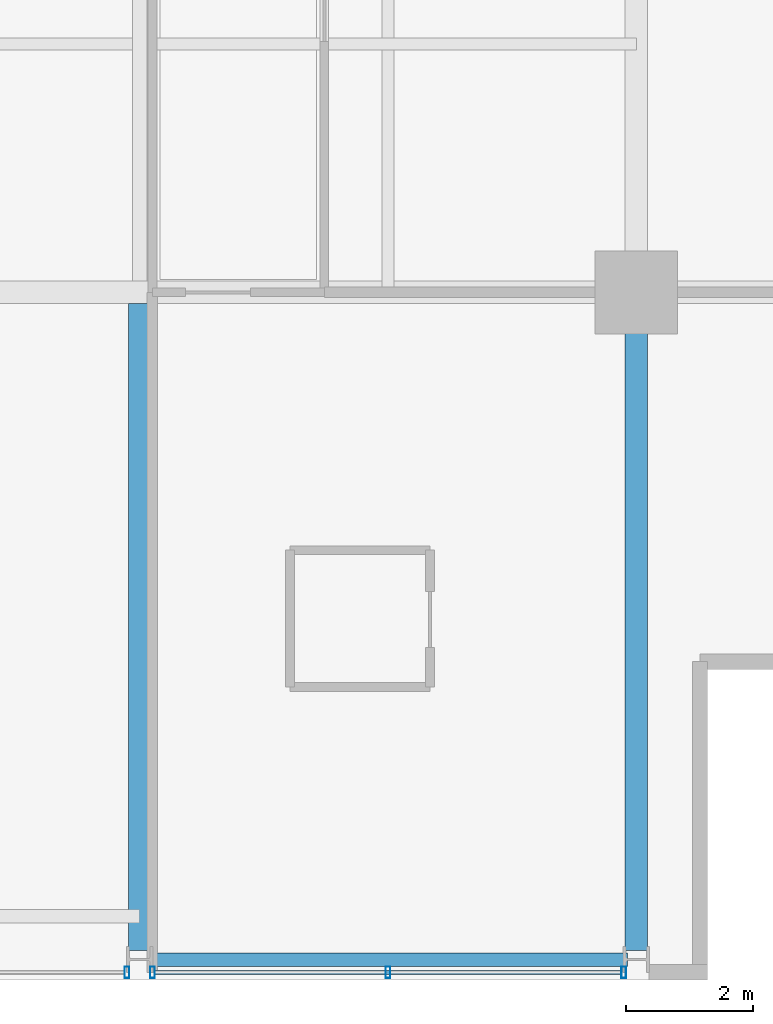
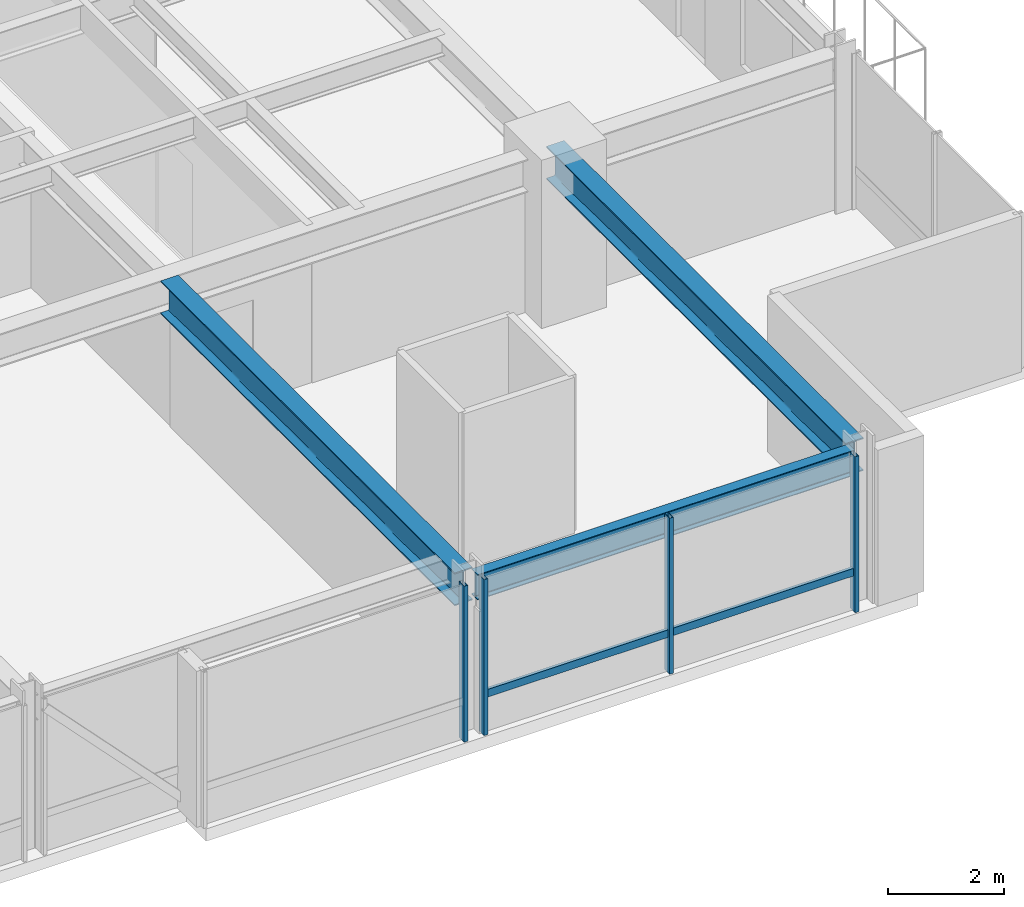
# One storey, part 11 of 33: 5 members, 3 beams, 2 elements without a shape of their own.
"""IFC4 building model written with IfcOpenShell, lengths in metres."""

import ifcopenshell
import ifcopenshell.guid

model = None  # the IFC model being written
_history = None  # IfcOwnerHistory: only IFC2X3 demands one
_inside = {}  # id of a spatial element -> (the spatial element, [elements in it])
_under = {}  # id of a project, library or spatial element -> (it, [spatial elements below it])
_declared = {}  # id of a project -> (the project, [libraries it declares])
_typed = {}  # id of a type object -> (the type object, [elements of that type])
_made_of = {}  # id of a material, layer set ... -> (it, [elements and type objects made of it])


def new_model(schema):
    """Start an empty IFC model of exactly this schema.

    Asked for "IFC4X3", IfcOpenShell would pick the latest addendum, in which some entities
    have other attributes; the version numbers below select the first issue.
    IFC2X3 requires an IfcOwnerHistory on every rooted entity: one is made here for all.
    """
    global model, _history
    if schema == "IFC4X3":
        model = ifcopenshell.file(schema_version=(4, 3, 0, 0))
    else:
        model = ifcopenshell.file(schema=schema)
    _inside.clear()
    _under.clear()
    _declared.clear()
    _typed.clear()
    _made_of.clear()
    _history = None
    if model.schema == "IFC2X3":
        org = make("IfcOrganization", Name="unknown")
        user = make(
            "IfcPersonAndOrganization",
            ThePerson=make("IfcPerson", FamilyName="unknown"),
            TheOrganization=org,
        )
        app = make(
            "IfcApplication",
            ApplicationDeveloper=org,
            Version="unknown",
            ApplicationFullName="unknown",
            ApplicationIdentifier="unknown",
        )
        _history = make(
            "IfcOwnerHistory",
            OwningUser=user,
            OwningApplication=app,
            ChangeAction="ADDED",
            CreationDate=0,
        )
    return model


def make(cls, **values):
    """One entity of the class cls with the attributes given. An attribute that is None is left unset."""
    return model.create_entity(
        cls, **{name: value for name, value in values.items() if value is not None}
    )


def rooted(cls, **values):
    """An entity with a GlobalId (a new one), such as an element, a storey or a relation."""
    return make(cls, GlobalId=ifcopenshell.guid.new(), OwnerHistory=_history, **values)


def si_unit(unit_type, name, prefix=None):
    """IfcSIUnit, for example si_unit("LENGTHUNIT", "METRE", prefix="MILLI")."""
    return make("IfcSIUnit", UnitType=unit_type, Prefix=prefix, Name=name)


def assignment(units):
    """IfcUnitAssignment: the units of a project."""
    return None if units is None else make("IfcUnitAssignment", Units=units)


def point(xyz):
    """IfcCartesianPoint."""
    return None if xyz is None else make("IfcCartesianPoint", Coordinates=xyz)


def direction(xyz):
    """IfcDirection."""
    return None if xyz is None else make("IfcDirection", DirectionRatios=xyz)


def frame(location, z_axis=None, x_axis=None):
    """IfcAxis2Placement3D, a coordinate frame: its origin and axes. An axis left out is left unset."""
    return make(
        "IfcAxis2Placement3D",
        Location=point(location),
        Axis=direction(z_axis),
        RefDirection=direction(x_axis),
    )


def frame_2d(location, x_axis=None):
    """IfcAxis2Placement2D, a coordinate frame in the plane: its origin and x axis."""
    return make(
        "IfcAxis2Placement2D", Location=point(location), RefDirection=direction(x_axis)
    )


def origin():
    """The frame at (0, 0, 0) with its axes left unset."""
    return frame((0.0, 0.0, 0.0))


def origin_2d():
    """The frame at (0, 0) in the plane with its x axis left unset."""
    return frame_2d((0.0, 0.0))


def place(relative_to, where):
    """IfcLocalPlacement: puts the frame where relative to a parent placement (None: the world)."""
    return make(
        "IfcLocalPlacement", PlacementRelTo=relative_to, RelativePlacement=where
    )


def context(
    kind, dimensions, precision=None, world=None, true_north=None, identifier=None
):
    """IfcGeometricRepresentationContext, for example the 3D "Model" context."""
    return make(
        "IfcGeometricRepresentationContext",
        ContextIdentifier=identifier,
        ContextType=kind,
        CoordinateSpaceDimension=dimensions,
        Precision=precision,
        WorldCoordinateSystem=world,
        TrueNorth=true_north,
    )


def subcontext(parent, identifier, kind, view, scale=None):
    """IfcGeometricRepresentationSubContext, for example "Body" below "Model"."""
    return make(
        "IfcGeometricRepresentationSubContext",
        ContextIdentifier=identifier,
        ContextType=kind,
        ParentContext=parent,
        TargetScale=scale,
        TargetView=view,
    )


def project(units=None, contexts=None):
    """IfcProject with its units and contexts."""
    return rooted(
        "IfcProject",
        Name="project",
        RepresentationContexts=contexts,
        UnitsInContext=assignment(units),
    )


def spatial(cls, under=None, at=None, **own):
    """A site, building, storey or space (cls), placed at a placement, below another one or the project."""
    s = rooted(cls, ObjectPlacement=at, **own)
    if under is not None:
        _under.setdefault(under.id(), (under, []))[1].append(s)
    return s


def profile(cls, at=None, kind="AREA", **sizes):
    """A parametric profile (cls). Its sizes go by their IFC names, for example OverallWidth=200.0."""
    return make(cls, ProfileType=kind, Position=at, **sizes)


def hollow_rectangle(**sizes):
    """IfcRectangleHollowProfileDef."""
    return profile("IfcRectangleHollowProfileDef", **sizes)


def i_section(**sizes):
    """IfcIShapeProfileDef."""
    return profile("IfcIShapeProfileDef", **sizes)


def extrude(swept, where, along, depth):
    """IfcExtrudedAreaSolid: the profile swept, set in the frame where, extruded along a direction by depth."""
    return make(
        "IfcExtrudedAreaSolid",
        SweptArea=swept,
        Position=where,
        ExtrudedDirection=direction(along),
        Depth=depth,
    )


def shape(context_of_items, identifier, shape_type, items):
    """IfcShapeRepresentation: the items that make up one representation, for example the "Body"."""
    return make(
        "IfcShapeRepresentation",
        ContextOfItems=context_of_items,
        RepresentationIdentifier=identifier,
        RepresentationType=shape_type,
        Items=items,
    )


def material(Name=None, Category=None):
    """IfcMaterial."""
    return make("IfcMaterial", Name=Name, Category=Category)


def layer(
    of_material, thickness, ventilated=None, Name=None, Category=None, Priority=None
):
    """IfcMaterialLayer: one layer of a wall or slab, of a material (None: an air gap)."""
    return make(
        "IfcMaterialLayer",
        Material=of_material,
        LayerThickness=thickness,
        IsVentilated=ventilated,
        Name=Name,
        Category=Category,
        Priority=Priority,
    )


def layer_set(layers, Name=None):
    """IfcMaterialLayerSet."""
    return make("IfcMaterialLayerSet", MaterialLayers=layers, LayerSetName=Name)


def material_profile(
    of_material, cross_section, Name=None, Category=None, Priority=None
):
    """IfcMaterialProfile: a cross section and its material."""
    return make(
        "IfcMaterialProfile",
        Name=Name,
        Material=of_material,
        Profile=cross_section,
        Priority=Priority,
        Category=Category,
    )


def profile_set(profiles, Name=None, composite=None):
    """IfcMaterialProfileSet."""
    return make(
        "IfcMaterialProfileSet",
        Name=Name,
        MaterialProfiles=profiles,
        CompositeProfile=composite,
    )


def made_of(thing, what):
    """Note that an element or type object is made of a material, layer set ...; save() writes the relation."""
    if what is not None:
        _made_of.setdefault(what.id(), (what, []))[1].append(thing)
    return thing


def type_object(cls, material=None, **own):
    """A type object (cls), such as IfcWallType, which elements share."""
    return made_of(rooted(cls, **own), material)


def element(
    cls,
    number,
    at=None,
    inside=None,
    cuts=None,
    type_object=None,
    material=None,
    context=None,
    identifier="Body",
    shape_type=None,
    held_by="IfcProductDefinitionShape",
    body=None,
    shapes=None,
    **own,
):
    """One element of the class cls, such as IfcWall. Its Tag is "e" and its number.

    at: its placement. inside: the storey or other place that contains it. cuts: it is an
    opening in that element (IfcRelVoidsElement). A single representation is given by context,
    identifier, shape_type and body (its items); several are given by shapes. held_by: the class
    of the entity that holds the representations. save() writes the other relations.
    """
    e = rooted(cls, Tag="e%d" % number, ObjectPlacement=at, **own)
    if body is not None:
        shapes = [shape(context, identifier, shape_type, body)]
    if shapes is not None:
        e.Representation = make(held_by, Representations=shapes)
    if inside is not None:
        _inside.setdefault(inside.id(), (inside, []))[1].append(e)
    if cuts is not None:
        rooted(
            "IfcRelVoidsElement", RelatingBuildingElement=cuts, RelatedOpeningElement=e
        )
    if type_object is not None:
        _typed.setdefault(type_object.id(), (type_object, []))[1].append(e)
    return made_of(e, material)


def aggregate(whole, parts):
    """IfcRelAggregates: a whole, such as a stair, and the parts it consists of."""
    return rooted("IfcRelAggregates", RelatingObject=whole, RelatedObjects=parts)


def save(model, path):
    """Write the relations noted so far, then the file.

    IfcRelAggregates (storeys below a building ...), IfcRelContainedInSpatialStructure (elements
    in a storey), IfcRelDefinesByType, IfcRelAssociatesMaterial and IfcRelDeclares: one each for
    every whole, place, type object, material and project.
    """
    for whole, parts in _under.values():
        aggregate(whole, parts)
    for where, things in _inside.values():
        rooted(
            "IfcRelContainedInSpatialStructure",
            RelatedElements=things,
            RelatingStructure=where,
        )
    for kind, things in _typed.values():
        rooted("IfcRelDefinesByType", RelatedObjects=things, RelatingType=kind)
    for what, things in _made_of.values():
        rooted("IfcRelAssociatesMaterial", RelatedObjects=things, RelatingMaterial=what)
    for by, libraries in _declared.values():
        rooted("IfcRelDeclares", RelatingContext=by, RelatedDefinitions=libraries)
    model.write(path)


model = new_model("IFC4")

# Units and contexts
model_context = context("Model", 3, precision=1e-05, world=origin(), true_north=direction((0.0, 1.0)))
body_context = subcontext(model_context, "Body", "Model", "MODEL_VIEW")
ifc_project = project(units=[si_unit("LENGTHUNIT", "METRE"), si_unit("AREAUNIT", "SQUARE_METRE"), si_unit("VOLUMEUNIT", "CUBIC_METRE"), si_unit("PLANEANGLEUNIT", "RADIAN"), si_unit("MASSUNIT", "GRAM", prefix="KILO")], contexts=[model_context])

# Site, building, storey
site_placement = place(None, origin())
site = spatial("IfcSite", under=ifc_project, at=site_placement, CompositionType="ELEMENT")
building_placement = place(site_placement, origin())
building = spatial("IfcBuilding", under=site, at=building_placement, Name="Drelvath Grand Hotel", CompositionType="ELEMENT")
storey_placement = place(building_placement, frame((0.0, 0.0, 161.050048828125)))
storey = spatial("IfcBuildingStorey", under=building, at=storey_placement, Name="L41", CompositionType="ELEMENT", Elevation=161.050048828125)

# Curtain wall, member
ifc_material_1 = material(Name="Brushed Pale-Silver Anodised Aluminium Frame", Category="aluminium")
ifc_layer = layer(ifc_material_1, 0.199951171875)
ifc_layer_set = layer_set([ifc_layer], Name="Brushed Pale-Silver Anodised Aluminium Frame")
curtain_wall_type = type_object("IfcCurtainWallType", Name="Stick Curtain Wall CW-04 Brushed Silver Upper-Mid", PredefinedType="NOTDEFINED", material=ifc_layer_set)
curtain_wall_1_placement = place(storey_placement, origin())
curtain_wall_1 = element("IfcCurtainWall", 1, at=curtain_wall_1_placement, inside=storey, type_object=curtain_wall_type, Name="L41 CW-04 Curtain Wall CW04-L41-SE2", PredefinedType="NOTDEFINED")
ifc_material_profile_1 = material_profile(ifc_material_1, hollow_rectangle(XDim=0.06494140625, YDim=0.159912109375, WallThickness=0.00390625, at=origin_2d()), Name="HSS160X65X4")
ifc_profile_set_1 = profile_set([ifc_material_profile_1], Name="Brushed Pale-Silver Anodised Aluminium Frame")
member_type_1 = type_object("IfcMemberType", Name="Curtain Wall Horizontal Transom CW-04 HSS160X65X4", PredefinedType="USERDEFINED", material=ifc_profile_set_1)
member_1_placement = place(storey_placement, frame((15.9599609375, 0.1201171875, 0.822509765625), z_axis=(-1.0, 0.0, 0.0), x_axis=(0.0, -1.0, 0.0)))
member_1 = element("IfcMember", 2, at=member_1_placement, type_object=member_type_1, Name="CW04-L41-SE2 Sill Transom", ObjectType="TRANSOM", PredefinedType="USERDEFINED", context=body_context, shape_type="SweptSolid", body=[
    extrude(hollow_rectangle(XDim=0.06494140625, YDim=0.159912109375, WallThickness=0.00390625, at=origin_2d()), origin(), (0.0, 0.0, 1.0), 7.31982421875),
])

curtain_wall_2_placement = place(storey_placement, origin())
curtain_wall_2 = element("IfcCurtainWall", 3, at=curtain_wall_2_placement, inside=storey, type_object=curtain_wall_type, Name="L41 CW-04 Curtain Wall CW04-L41-SE1", PredefinedType="NOTDEFINED")
ifc_material_profile_2 = material_profile(ifc_material_1, hollow_rectangle(XDim=0.074951171875, YDim=0.179931640625, WallThickness=0.0048828125, at=origin_2d()), Name="HSS180X75X5")
ifc_profile_set_2 = profile_set([ifc_material_profile_2], Name="Brushed Pale-Silver Anodised Aluminium Frame")
member_type_2 = type_object("IfcMemberType", Name="Curtain Wall Vertical Mullion CW-04 HSS180X75X5", PredefinedType="MULLION", material=ifc_profile_set_2)
member_2_placement = place(storey_placement, frame((8.199951171875, 0.1201171875, 0.0), z_axis=(0.0, 0.0, 1.0), x_axis=(1.0, 0.0, 0.0)))
member_2 = element("IfcMember", 4, at=member_2_placement, type_object=member_type_2, Name="CW04-L41-SE1 Mullion 1", PredefinedType="MULLION", context=body_context, shape_type="SweptSolid", body=[
    extrude(hollow_rectangle(XDim=0.074951171875, YDim=0.179931640625, WallThickness=0.0048828125, at=origin_2d()), origin(), (0.0, 0.0, 1.0), 3.2900390625),
])
aggregate(curtain_wall_2, [member_2])

# Member
member_3_placement = place(storey_placement, frame((16.0, 0.1201171875, 0.0), z_axis=(0.0, 0.0, 1.0), x_axis=(1.0, 0.0, 0.0)))
member_3 = element("IfcMember", 5, at=member_3_placement, type_object=member_type_2, Name="CW04-L41-SE2 Mullion 1", PredefinedType="MULLION", context=body_context, shape_type="SweptSolid", body=[
    extrude(hollow_rectangle(XDim=0.074951171875, YDim=0.179931640625, WallThickness=0.0048828125, at=origin_2d()), origin(), (0.0, 0.0, 1.0), 3.2900390625),
])

member_4_placement = place(storey_placement, frame((12.300048828125, 0.1201171875, 0.0), z_axis=(0.0, 0.0, 1.0), x_axis=(1.0, 0.0, 0.0)))
member_4 = element("IfcMember", 6, at=member_4_placement, type_object=member_type_2, Name="CW04-L41-SE2 Mullion 2", PredefinedType="MULLION", context=body_context, shape_type="SweptSolid", body=[
    extrude(hollow_rectangle(XDim=0.074951171875, YDim=0.179931640625, WallThickness=0.0048828125, at=origin_2d()), origin(), (0.0, 0.0, 1.0), 3.2900390625),
])

member_5_placement = place(storey_placement, frame((8.60009765625, 0.1201171875, 0.0), z_axis=(0.0, 0.0, 1.0), x_axis=(1.0, 0.0, 0.0)))
member_5 = element("IfcMember", 7, at=member_5_placement, type_object=member_type_2, Name="CW04-L41-SE2 Mullion 3", PredefinedType="MULLION", context=body_context, shape_type="SweptSolid", body=[
    extrude(hollow_rectangle(XDim=0.074951171875, YDim=0.179931640625, WallThickness=0.0048828125, at=origin_2d()), origin(), (0.0, 0.0, 1.0), 3.2900390625),
])

aggregate(curtain_wall_1, [member_3, member_4, member_5, member_1])

# Beams
ifc_material_2 = material(Name="Steel ASTM A992 Gr 50", Category="steel")
ifc_material_profile_3 = material_profile(ifc_material_2, i_section(OverallWidth=0.210205078125, OverallDepth=0.53662109375, WebThickness=0.010986328125, FlangeThickness=0.017333984375, FilletRadius=0.01806640625, at=origin_2d()), Name="W21X68")
ifc_profile_set_3 = profile_set([ifc_material_profile_3], Name="Steel ASTM A992 Gr 50")
beam_type_1 = type_object("IfcBeamType", Name="Perimeter Spandrel Beam W21X68", PredefinedType="SPANDREL", material=ifc_profile_set_3)
beam_1_placement = place(storey_placement, frame((8.5400390625, 0.320068359375, 3.021728515625), z_axis=(1.0, 0.0, 0.0), x_axis=(0.0, 1.0, 0.0)))
element("IfcBeam", 8, at=beam_1_placement, inside=storey, type_object=beam_type_1, Name="L41 Spandrel South E", PredefinedType="SPANDREL", context=body_context, shape_type="SweptSolid", body=[
    extrude(i_section(OverallWidth=0.210205078125, OverallDepth=0.53662109375, WebThickness=0.010986328125, FlangeThickness=0.017333984375, FilletRadius=0.01806640625, at=origin_2d()), origin(), (0.0, 0.0, 1.0), 7.52001953125),
])
ifc_material_profile_4 = material_profile(ifc_material_2, i_section(OverallWidth=0.354736328125, OverallDepth=0.695556640625, WebThickness=0.015380859375, FlangeThickness=0.025146484375, FilletRadius=0.02392578125, at=origin_2d()), Name="W27X146")
ifc_profile_set_4 = profile_set([ifc_material_profile_4], Name="Steel ASTM A992 Gr 50")
beam_type_2 = type_object("IfcBeamType", Name="Primary Floor Girder W27X146", PredefinedType="BEAM", material=ifc_profile_set_4)
beam_2_placement = place(storey_placement, frame((16.199951171875, 0.4599609375, 2.942138671875), z_axis=(0.0, 1.0, 0.0), x_axis=(-1.0, 0.0, 0.0)))
element("IfcBeam", 9, at=beam_2_placement, inside=storey, type_object=beam_type_2, Name="L41 South Grid Girder 7", PredefinedType="BEAM", context=body_context, shape_type="SweptSolid", body=[
    extrude(i_section(OverallWidth=0.354736328125, OverallDepth=0.695556640625, WebThickness=0.015380859375, FlangeThickness=0.025146484375, FilletRadius=0.02392578125, at=origin_2d()), origin(), (0.0, 0.0, 1.0), 10.340087890625),
])
beam_3_placement = place(storey_placement, frame((8.39990234375, 0.4599609375, 2.942138671875), z_axis=(0.0, 1.0, 0.0), x_axis=(-1.0, 0.0, 0.0)))
element("IfcBeam", 10, at=beam_3_placement, inside=storey, type_object=beam_type_2, Name="L41 South Wing Girder 6", PredefinedType="BEAM", context=body_context, shape_type="SweptSolid", body=[
    extrude(i_section(OverallWidth=0.354736328125, OverallDepth=0.695556640625, WebThickness=0.015380859375, FlangeThickness=0.025146484375, FilletRadius=0.02392578125, at=origin_2d()), origin(), (0.0, 0.0, 1.0), 10.16259765625),
])

save(model, "model.ifc")
